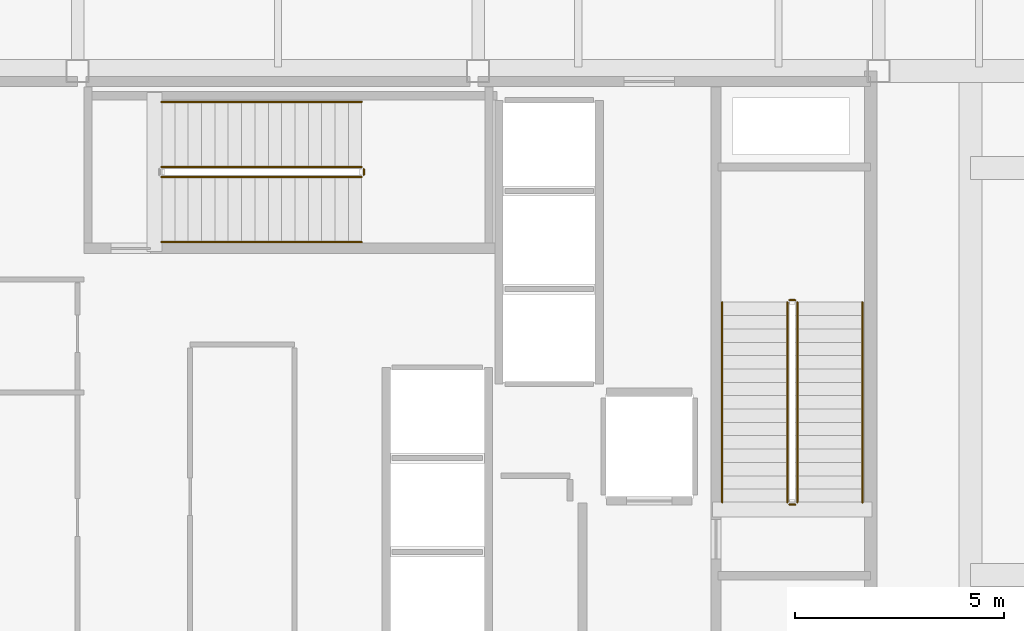
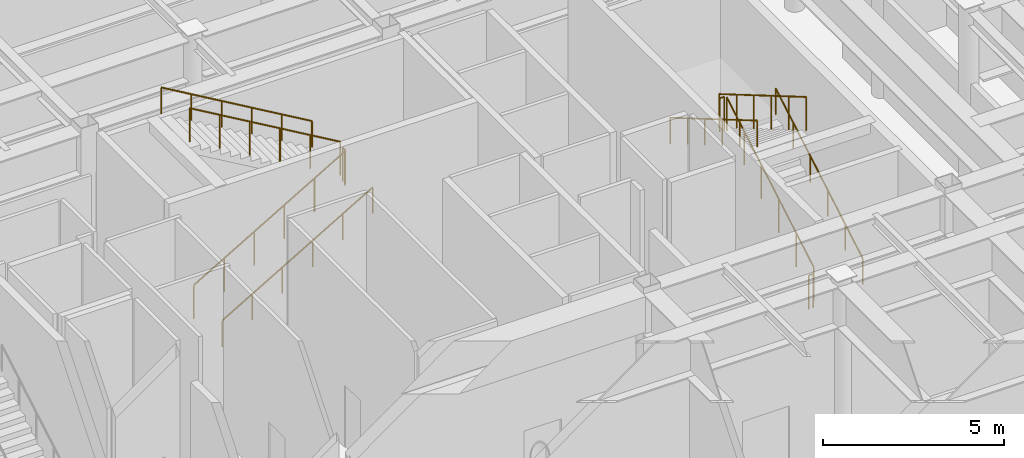
# One storey, part 19 of 20: 11 railings.
"""IFC4 building model written with IfcOpenShell, lengths in metres."""

from ifc_helpers import new_model, si_unit, direction, frame, origin, origin_2d, place, context, subcontext, project, spatial, circle, extrude, material, layer, layer_set, type_object, element, save


model = new_model("IFC4")

# Units and contexts
model_context = context("Model", 3, precision=1e-05, world=origin(), true_north=direction((0.0, 1.0)))
body_context = subcontext(model_context, "Body", "Model", "MODEL_VIEW")
ifc_project = project(units=[si_unit("LENGTHUNIT", "METRE"), si_unit("AREAUNIT", "SQUARE_METRE"), si_unit("VOLUMEUNIT", "CUBIC_METRE"), si_unit("PLANEANGLEUNIT", "RADIAN"), si_unit("MASSUNIT", "GRAM", prefix="KILO")], contexts=[model_context])

# Site, building, storey
site_placement = place(None, origin())
site = spatial("IfcSite", under=ifc_project, at=site_placement, CompositionType="ELEMENT")
building_placement = place(site_placement, origin())
building = spatial("IfcBuilding", under=site, at=building_placement, Name="Kallvorn Hotel Tower", CompositionType="ELEMENT")
storey_placement = place(building_placement, frame((0.0, 0.0, 276.199951171875)))
storey = spatial("IfcBuildingStorey", under=building, at=storey_placement, Name="L69", CompositionType="ELEMENT", Elevation=276.199951171875)

# Railings
ifc_material_1 = material(Name="Brushed stainless-steel tubular railing", Category="steel")
ifc_layer_1 = layer(ifc_material_1, 0.050048828125)
ifc_layer_set_1 = layer_set([ifc_layer_1], Name="RL_STAIR_GUARD")
railing_type_1 = type_object("IfcRailingType", Name="RL_STAIR_GUARD", PredefinedType="GUARDRAIL", material=ifc_layer_set_1)
railing_1_placement = place(storey_placement, frame((12.449951171875, -3.139892578125, 0.1875)))
element("IfcRailing", 1, at=railing_1_placement, inside=storey, type_object=railing_type_1, Name="L69 ST2 stair guard 1", PredefinedType="GUARDRAIL", context=body_context, shape_type="SweptSolid", body=[
    extrude(circle(Radius=0.02392578125, at=origin_2d()), frame((0.0, 0.0, 1.1259765625), z_axis=(0.0, 0.862790387251, 0.505561813893), x_axis=(-1.0, 0.0, 0.0)), (0.0, 0.0, 1.0), 5.563232421875),
    extrude(circle(Radius=0.02099609375, at=origin_2d()), origin(), (0.0, 0.0, 1.0), 1.101806640625),
    extrude(circle(Radius=0.02099609375, at=origin_2d()), frame((0.0, 0.9599609375, 0.5625)), (0.0, 0.0, 1.0), 1.101806640625),
    extrude(circle(Radius=0.02099609375, at=origin_2d()), frame((0.0, 1.919921875, 1.125)), (0.0, 0.0, 1.0), 1.101806640625),
    extrude(circle(Radius=0.02099609375, at=origin_2d()), frame((0.0, 2.8798828125, 1.6875)), (0.0, 0.0, 1.0), 1.101806640625),
    extrude(circle(Radius=0.02099609375, at=origin_2d()), frame((0.0, 3.83984375, 2.25)), (0.0, 0.0, 1.0), 1.101806640625),
    extrude(circle(Radius=0.02099609375, at=origin_2d()), frame((0.0, 4.7998046875, 2.8125)), (0.0, 0.0, 1.0), 1.101806640625),
])
railing_2_placement = place(storey_placement, frame((12.39990234375, 1.7099609375, 3.0)))
element("IfcRailing", 2, at=railing_2_placement, inside=storey, type_object=railing_type_1, Name="L69 ST2 stair guard 2", PredefinedType="GUARDRAIL", context=body_context, shape_type="SweptSolid", body=[
    extrude(circle(Radius=0.02392578125, at=origin_2d()), frame((0.0, 0.0, 1.1259765625), z_axis=(-1.0, 0.0, 0.0), x_axis=(0.0, -1.0, 0.0)), (0.0, 0.0, 1.0), 0.139892578125),
    extrude(circle(Radius=0.02099609375, at=origin_2d()), origin(), (0.0, 0.0, 1.0), 1.101806640625),
    extrude(circle(Radius=0.02099609375, at=origin_2d()), frame((-0.139892578125, 0.0, 0.0)), (0.0, 0.0, 1.0), 1.101806640625),
])
railing_3_placement = place(storey_placement, frame((12.2099609375, 1.659912109375, 3.1875)))
element("IfcRailing", 3, at=railing_3_placement, inside=storey, type_object=railing_type_1, Name="L69 ST2 stair guard 3", PredefinedType="GUARDRAIL", context=body_context, shape_type="SweptSolid", body=[
    extrude(circle(Radius=0.02392578125, at=origin_2d()), frame((0.0, 0.0, 1.1259765625), z_axis=(0.0, -0.862790387251, 0.505561813893), x_axis=(1.0, 0.0, 0.0)), (0.0, 0.0, 1.0), 5.563232421875),
    extrude(circle(Radius=0.02099609375, at=origin_2d()), origin(), (0.0, 0.0, 1.0), 1.101806640625),
    extrude(circle(Radius=0.02099609375, at=origin_2d()), frame((0.0, -0.9599609375, 0.5625)), (0.0, 0.0, 1.0), 1.101806640625),
    extrude(circle(Radius=0.02099609375, at=origin_2d()), frame((0.0, -1.919921875, 1.125)), (0.0, 0.0, 1.0), 1.101806640625),
    extrude(circle(Radius=0.02099609375, at=origin_2d()), frame((0.0, -2.8798828125, 1.6875)), (0.0, 0.0, 1.0), 1.101806640625),
    extrude(circle(Radius=0.02099609375, at=origin_2d()), frame((0.0, -3.83984375, 2.25)), (0.0, 0.0, 1.0), 1.101806640625),
    extrude(circle(Radius=0.02099609375, at=origin_2d()), frame((0.0, -4.7998046875, 2.8125)), (0.0, 0.0, 1.0), 1.101806640625),
])
railing_4_placement = place(storey_placement, frame((12.39990234375, -3.18994140625, 0.0)))
element("IfcRailing", 4, at=railing_4_placement, inside=storey, type_object=railing_type_1, Name="L69 ST2 stair guard 4", PredefinedType="GUARDRAIL", context=body_context, shape_type="SweptSolid", body=[
    extrude(circle(Radius=0.02392578125, at=origin_2d()), frame((0.0, 0.0, 1.1259765625), z_axis=(-1.0, 0.0, 0.0), x_axis=(0.0, -1.0, 0.0)), (0.0, 0.0, 1.0), 0.139892578125),
    extrude(circle(Radius=0.02099609375, at=origin_2d()), origin(), (0.0, 0.0, 1.0), 1.101806640625),
    extrude(circle(Radius=0.02099609375, at=origin_2d()), frame((-0.139892578125, 0.0, 0.0)), (0.0, 0.0, 1.0), 1.101806640625),
])
railing_5_placement = place(storey_placement, frame((-2.7900390625, 4.659912109375, 0.1875)))
element("IfcRailing", 5, at=railing_5_placement, inside=storey, type_object=railing_type_1, Name="L69 ST3 stair guard 1", PredefinedType="GUARDRAIL", context=body_context, shape_type="SweptSolid", body=[
    extrude(circle(Radius=0.02392578125, at=origin_2d()), frame((0.0, 0.0, 1.1259765625), z_axis=(0.862801603449, 0.0, 0.505542671875), x_axis=(0.0, 1.0, 0.0)), (0.0, 0.0, 1.0), 5.563232421875),
    extrude(circle(Radius=0.02099609375, at=origin_2d()), origin(), (0.0, 0.0, 1.0), 1.101806640625),
    extrude(circle(Radius=0.02099609375, at=origin_2d()), frame((0.9599609375, 0.0, 0.5625)), (0.0, 0.0, 1.0), 1.101806640625),
    extrude(circle(Radius=0.02099609375, at=origin_2d()), frame((1.919921875, 0.0, 1.125)), (0.0, 0.0, 1.0), 1.101806640625),
    extrude(circle(Radius=0.02099609375, at=origin_2d()), frame((2.880126953125, 0.0, 1.6875)), (0.0, 0.0, 1.0), 1.101806640625),
    extrude(circle(Radius=0.02099609375, at=origin_2d()), frame((3.840087890625, 0.0, 2.25)), (0.0, 0.0, 1.0), 1.101806640625),
    extrude(circle(Radius=0.02099609375, at=origin_2d()), frame((4.800048828125, 0.0, 2.8125)), (0.0, 0.0, 1.0), 1.101806640625),
])
railing_6_placement = place(storey_placement, frame((2.06005859375, 4.7099609375, 3.0)))
element("IfcRailing", 6, at=railing_6_placement, inside=storey, type_object=railing_type_1, Name="L69 ST3 stair guard 2", PredefinedType="GUARDRAIL", context=body_context, shape_type="SweptSolid", body=[
    extrude(circle(Radius=0.02392578125, at=origin_2d()), frame((0.0, 0.0, 1.1259765625), z_axis=(0.0, 1.0, 0.0), x_axis=(-1.0, 0.0, 0.0)), (0.0, 0.0, 1.0), 0.14013671875),
    extrude(circle(Radius=0.02099609375, at=origin_2d()), origin(), (0.0, 0.0, 1.0), 1.101806640625),
    extrude(circle(Radius=0.02099609375, at=origin_2d()), frame((0.0, 0.14013671875, 0.0)), (0.0, 0.0, 1.0), 1.101806640625),
])
railing_7_placement = place(storey_placement, frame((2.010009765625, 4.89990234375, 3.1875)))
element("IfcRailing", 7, at=railing_7_placement, inside=storey, type_object=railing_type_1, Name="L69 ST3 stair guard 3", PredefinedType="GUARDRAIL", context=body_context, shape_type="SweptSolid", body=[
    extrude(circle(Radius=0.02392578125, at=origin_2d()), frame((0.0, 0.0, 1.1259765625), z_axis=(-0.862801603449, 0.0, 0.505542671875), x_axis=(0.0, -1.0, 0.0)), (0.0, 0.0, 1.0), 5.563232421875),
    extrude(circle(Radius=0.02099609375, at=origin_2d()), origin(), (0.0, 0.0, 1.0), 1.101806640625),
    extrude(circle(Radius=0.02099609375, at=origin_2d()), frame((-0.9599609375, 0.0, 0.5625)), (0.0, 0.0, 1.0), 1.101806640625),
    extrude(circle(Radius=0.02099609375, at=origin_2d()), frame((-1.919921875, 0.0, 1.125)), (0.0, 0.0, 1.0), 1.101806640625),
    extrude(circle(Radius=0.02099609375, at=origin_2d()), frame((-2.880126953125, 0.0, 1.6875)), (0.0, 0.0, 1.0), 1.101806640625),
    extrude(circle(Radius=0.02099609375, at=origin_2d()), frame((-3.840087890625, 0.0, 2.25)), (0.0, 0.0, 1.0), 1.101806640625),
    extrude(circle(Radius=0.02099609375, at=origin_2d()), frame((-4.800048828125, 0.0, 2.8125)), (0.0, 0.0, 1.0), 1.101806640625),
])
ifc_material_2 = material(Name="Brushed stainless-steel tubular railing", Category="steel")
ifc_layer_2 = layer(ifc_material_2, 0.050048828125)
ifc_layer_set_2 = layer_set([ifc_layer_2], Name="RL_STAIR_HAND")
railing_type_2 = type_object("IfcRailingType", Name="RL_STAIR_HAND", PredefinedType="HANDRAIL", material=ifc_layer_set_2)
railing_8_placement = place(storey_placement, frame((14.010009765625, -3.139892578125, 0.1875)))
element("IfcRailing", 8, at=railing_8_placement, inside=storey, type_object=railing_type_2, Name="L69 ST2 stair handrail 1", PredefinedType="HANDRAIL", context=body_context, shape_type="SweptSolid", body=[
    extrude(circle(Radius=0.02392578125, at=origin_2d()), frame((0.0, 0.0, 0.8759765625), z_axis=(0.0, 0.862790387251, 0.505561813893), x_axis=(-1.0, 0.0, 0.0)), (0.0, 0.0, 1.0), 5.563232421875),
    extrude(circle(Radius=0.02099609375, at=origin_2d()), origin(), (0.0, 0.0, 1.0), 0.851806640625),
    extrude(circle(Radius=0.02099609375, at=origin_2d()), frame((0.0, 0.9599609375, 0.5625)), (0.0, 0.0, 1.0), 0.851806640625),
    extrude(circle(Radius=0.02099609375, at=origin_2d()), frame((0.0, 1.919921875, 1.125)), (0.0, 0.0, 1.0), 0.851806640625),
    extrude(circle(Radius=0.02099609375, at=origin_2d()), frame((0.0, 2.8798828125, 1.6875)), (0.0, 0.0, 1.0), 0.851806640625),
    extrude(circle(Radius=0.02099609375, at=origin_2d()), frame((0.0, 3.83984375, 2.25)), (0.0, 0.0, 1.0), 0.851806640625),
    extrude(circle(Radius=0.02099609375, at=origin_2d()), frame((0.0, 4.7998046875, 2.8125)), (0.0, 0.0, 1.0), 0.851806640625),
])
railing_9_placement = place(storey_placement, frame((10.64990234375, 1.659912109375, 3.1875)))
element("IfcRailing", 9, at=railing_9_placement, inside=storey, type_object=railing_type_2, Name="L69 ST2 stair handrail 2", PredefinedType="HANDRAIL", context=body_context, shape_type="SweptSolid", body=[
    extrude(circle(Radius=0.02392578125, at=origin_2d()), frame((0.0, 0.0, 0.8759765625), z_axis=(0.0, -0.862790387251, 0.505561813893), x_axis=(1.0, 0.0, 0.0)), (0.0, 0.0, 1.0), 5.563232421875),
    extrude(circle(Radius=0.02099609375, at=origin_2d()), origin(), (0.0, 0.0, 1.0), 0.851806640625),
    extrude(circle(Radius=0.02099609375, at=origin_2d()), frame((0.0, -0.9599609375, 0.5625)), (0.0, 0.0, 1.0), 0.851806640625),
    extrude(circle(Radius=0.02099609375, at=origin_2d()), frame((0.0, -1.919921875, 1.125)), (0.0, 0.0, 1.0), 0.851806640625),
    extrude(circle(Radius=0.02099609375, at=origin_2d()), frame((0.0, -2.8798828125, 1.6875)), (0.0, 0.0, 1.0), 0.851806640625),
    extrude(circle(Radius=0.02099609375, at=origin_2d()), frame((0.0, -3.83984375, 2.25)), (0.0, 0.0, 1.0), 0.851806640625),
    extrude(circle(Radius=0.02099609375, at=origin_2d()), frame((0.0, -4.7998046875, 2.8125)), (0.0, 0.0, 1.0), 0.851806640625),
])
railing_10_placement = place(storey_placement, frame((-2.7900390625, 3.10009765625, 0.1875)))
element("IfcRailing", 10, at=railing_10_placement, inside=storey, type_object=railing_type_2, Name="L69 ST3 stair handrail 1", PredefinedType="HANDRAIL", context=body_context, shape_type="SweptSolid", body=[
    extrude(circle(Radius=0.02392578125, at=origin_2d()), frame((0.0, 0.0, 0.8759765625), z_axis=(0.862801603449, 0.0, 0.505542671875), x_axis=(0.0, 1.0, 0.0)), (0.0, 0.0, 1.0), 5.563232421875),
    extrude(circle(Radius=0.02099609375, at=origin_2d()), origin(), (0.0, 0.0, 1.0), 0.851806640625),
    extrude(circle(Radius=0.02099609375, at=origin_2d()), frame((0.9599609375, 0.0, 0.5625)), (0.0, 0.0, 1.0), 0.851806640625),
    extrude(circle(Radius=0.02099609375, at=origin_2d()), frame((1.919921875, 0.0, 1.125)), (0.0, 0.0, 1.0), 0.851806640625),
    extrude(circle(Radius=0.02099609375, at=origin_2d()), frame((2.880126953125, 0.0, 1.6875)), (0.0, 0.0, 1.0), 0.851806640625),
    extrude(circle(Radius=0.02099609375, at=origin_2d()), frame((3.840087890625, 0.0, 2.25)), (0.0, 0.0, 1.0), 0.851806640625),
    extrude(circle(Radius=0.02099609375, at=origin_2d()), frame((4.800048828125, 0.0, 2.8125)), (0.0, 0.0, 1.0), 0.851806640625),
])
railing_11_placement = place(storey_placement, frame((2.010009765625, 6.4599609375, 3.1875)))
element("IfcRailing", 11, at=railing_11_placement, inside=storey, type_object=railing_type_2, Name="L69 ST3 stair handrail 2", PredefinedType="HANDRAIL", context=body_context, shape_type="SweptSolid", body=[
    extrude(circle(Radius=0.02392578125, at=origin_2d()), frame((0.0, 0.0, 0.8759765625), z_axis=(-0.862801603449, 0.0, 0.505542671875), x_axis=(0.0, -1.0, 0.0)), (0.0, 0.0, 1.0), 5.563232421875),
    extrude(circle(Radius=0.02099609375, at=origin_2d()), origin(), (0.0, 0.0, 1.0), 0.851806640625),
    extrude(circle(Radius=0.02099609375, at=origin_2d()), frame((-0.9599609375, 0.0, 0.5625)), (0.0, 0.0, 1.0), 0.851806640625),
    extrude(circle(Radius=0.02099609375, at=origin_2d()), frame((-1.919921875, 0.0, 1.125)), (0.0, 0.0, 1.0), 0.851806640625),
    extrude(circle(Radius=0.02099609375, at=origin_2d()), frame((-2.880126953125, 0.0, 1.6875)), (0.0, 0.0, 1.0), 0.851806640625),
    extrude(circle(Radius=0.02099609375, at=origin_2d()), frame((-3.840087890625, 0.0, 2.25)), (0.0, 0.0, 1.0), 0.851806640625),
    extrude(circle(Radius=0.02099609375, at=origin_2d()), frame((-4.800048828125, 0.0, 2.8125)), (0.0, 0.0, 1.0), 0.851806640625),
])

save(model, "model.ifc")
